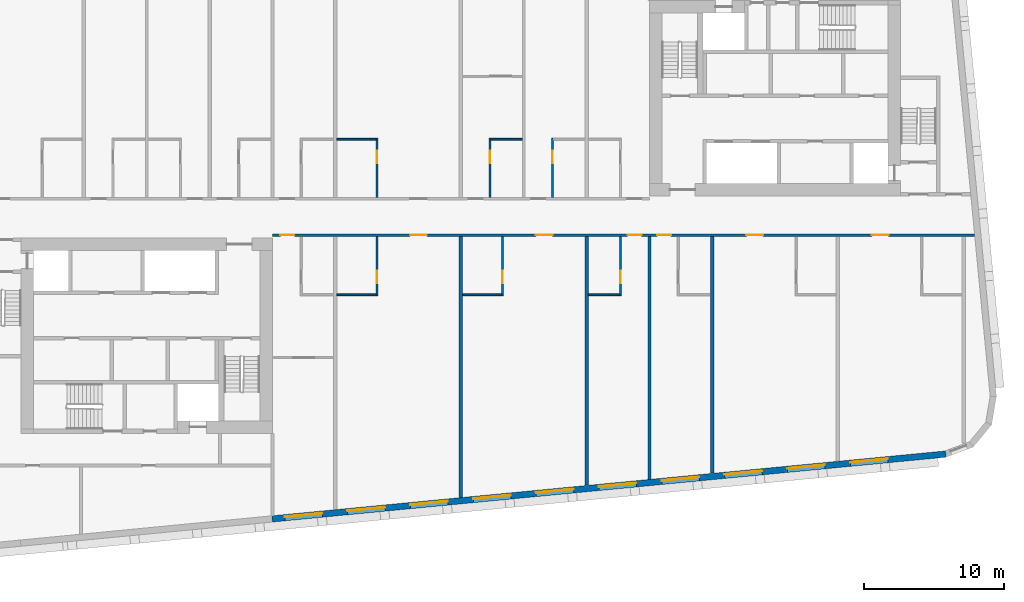
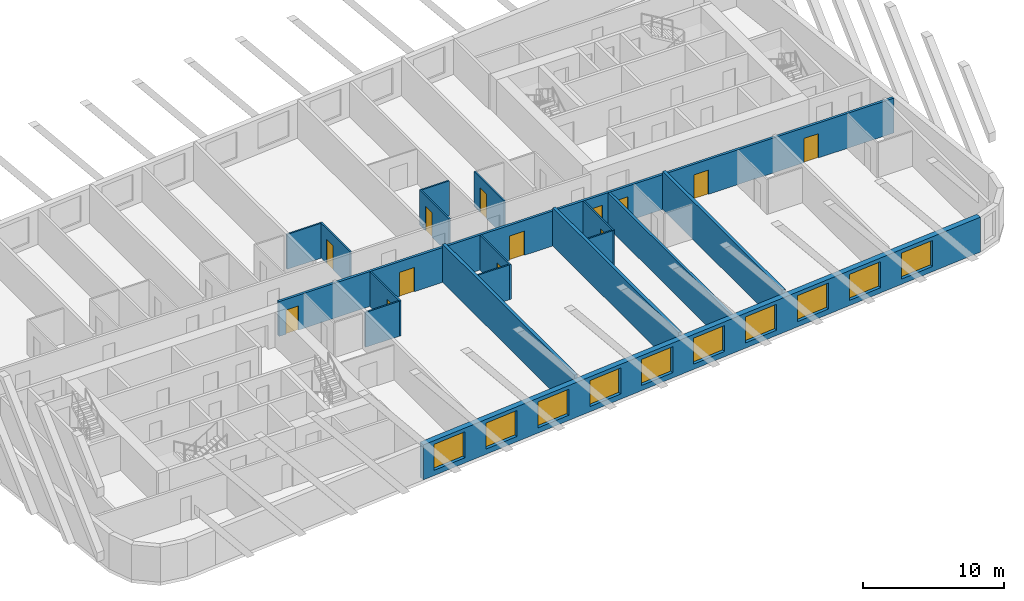
# One storey, part 4 of 12: 17 walls, 13 doors, 10 windows, 23 openings.
"""IFC4 building model written with IfcOpenShell, lengths in metres."""

from ifc_helpers import new_model, si_unit, direction, frame, frame_2d, origin, place, context, subcontext, project, spatial, rectangle, extrude, material, layer, layer_set, type_object, element, fill, save


model = new_model("IFC4")

# Units and contexts
model_context = context("Model", 3, precision=1e-05, world=origin(), true_north=direction((0.0, 1.0)))
body_context = subcontext(model_context, "Body", "Model", "MODEL_VIEW")
ifc_project = project(units=[si_unit("LENGTHUNIT", "METRE"), si_unit("AREAUNIT", "SQUARE_METRE"), si_unit("VOLUMEUNIT", "CUBIC_METRE"), si_unit("PLANEANGLEUNIT", "RADIAN"), si_unit("MASSUNIT", "GRAM", prefix="KILO")], contexts=[model_context])

# Site, building, storey
site_placement = place(None, origin())
site = spatial("IfcSite", under=ifc_project, at=site_placement, CompositionType="ELEMENT")
building_placement = place(site_placement, origin())
building = spatial("IfcBuilding", under=site, at=building_placement, Name="Kajstack Hotel Tower", CompositionType="ELEMENT")
storey_placement = place(building_placement, frame((0.0, 0.0, 288.300048828125)))
storey = spatial("IfcBuildingStorey", under=building, at=storey_placement, Name="L72", CompositionType="ELEMENT", Elevation=288.300048828125)

# Wall, openings, doors
ifc_material_1 = material(Name="Gypsum board on steel studs, mineral wool", Category="steel")
ifc_layer_1 = layer(ifc_material_1, 0.199951171875)
ifc_layer_set_1 = layer_set([ifc_layer_1], Name="Corridor wall 200")
wall_type_1 = type_object("IfcWallType", Name="Corridor wall 200", PredefinedType="PARTITIONING", material=ifc_layer_set_1)
wall_1_placement = place(storey_placement, frame((-13.5, -1.300048828125, 0.0), z_axis=(0.0, 0.0, 1.0), x_axis=(1.0, 0.0, 0.0)))
wall_1 = element("IfcWall", 1, at=wall_1_placement, inside=storey, type_object=wall_type_1, Name="G-wall-L72-028", PredefinedType="PARTITIONING", context=body_context, shape_type="SweptSolid", body=[
    extrude(rectangle(XDim=50.29296875, YDim=0.199951171875, at=frame_2d((25.146484375, 0.0))), origin(), (0.0, 0.0, 1.0), 3.02001953125),
])
opening_1_placement = place(wall_1_placement, frame((0.574951171875, 0.0, 0.0)))
opening_1 = element("IfcOpeningElement", 2, at=opening_1_placement, cuts=wall_1, Name="Opening 72022", PredefinedType="OPENING", context=body_context, shape_type="SweptSolid", body=[
    extrude(rectangle(XDim=1.0, YDim=2.10009765625, at=frame_2d((0.5, 1.050048828125))), frame((0.0, 0.10986328125, 0.0), z_axis=(0.0, -1.0, 0.0), x_axis=(1.0, 0.0, 0.0)), (0.0, 0.0, 1.0), 0.219970703125),
])
opening_2_placement = place(wall_1_placement, frame((9.863037109375, 0.0, 0.0)))
opening_2 = element("IfcOpeningElement", 3, at=opening_2_placement, cuts=wall_1, Name="Opening 72025", PredefinedType="OPENING", context=body_context, shape_type="SweptSolid", body=[
    extrude(rectangle(XDim=1.199951171875, YDim=2.10009765625, at=frame_2d((0.60009765625, 1.050048828125))), frame((0.0, 0.10986328125, 0.0), z_axis=(0.0, -1.0, 0.0), x_axis=(1.0, 0.0, 0.0)), (0.0, 0.0, 1.0), 0.219970703125),
])
opening_3_placement = place(wall_1_placement, frame((18.862060546875, 0.0, 0.0)))
opening_3 = element("IfcOpeningElement", 4, at=opening_3_placement, cuts=wall_1, Name="Opening 72027", PredefinedType="OPENING", context=body_context, shape_type="SweptSolid", body=[
    extrude(rectangle(XDim=1.199951171875, YDim=2.10009765625, at=frame_2d((0.60009765625, 1.050048828125))), frame((0.0, 0.10986328125, 0.0), z_axis=(0.0, -1.0, 0.0), x_axis=(1.0, 0.0, 0.0)), (0.0, 0.0, 1.0), 0.219970703125),
])
opening_4_placement = place(wall_1_placement, frame((25.449951171875, 0.0, 0.0)))
opening_4 = element("IfcOpeningElement", 5, at=opening_4_placement, cuts=wall_1, Name="Opening 72029", PredefinedType="OPENING", context=body_context, shape_type="SweptSolid", body=[
    extrude(rectangle(XDim=1.0, YDim=2.10009765625, at=frame_2d((0.5, 1.050048828125))), frame((0.0, 0.10986328125, 0.0), z_axis=(0.0, -1.0, 0.0), x_axis=(1.0, 0.0, 0.0)), (0.0, 0.0, 1.0), 0.219970703125),
])
opening_5_placement = place(wall_1_placement, frame((27.550048828125, 0.0, 0.0)))
opening_5 = element("IfcOpeningElement", 6, at=opening_5_placement, cuts=wall_1, Name="Opening 72031", PredefinedType="OPENING", context=body_context, shape_type="SweptSolid", body=[
    extrude(rectangle(XDim=1.0, YDim=2.10009765625, at=frame_2d((0.5, 1.050048828125))), frame((0.0, 0.10986328125, 0.0), z_axis=(0.0, -1.0, 0.0), x_axis=(1.0, 0.0, 0.0)), (0.0, 0.0, 1.0), 0.219970703125),
])
opening_6_placement = place(wall_1_placement, frame((33.93798828125, 0.0, 0.0)))
opening_6 = element("IfcOpeningElement", 7, at=opening_6_placement, cuts=wall_1, Name="Opening 72033", PredefinedType="OPENING", context=body_context, shape_type="SweptSolid", body=[
    extrude(rectangle(XDim=1.199951171875, YDim=2.10009765625, at=frame_2d((0.60009765625, 1.050048828125))), frame((0.0, 0.10986328125, 0.0), z_axis=(0.0, -1.0, 0.0), x_axis=(1.0, 0.0, 0.0)), (0.0, 0.0, 1.0), 0.219970703125),
])
opening_7_placement = place(wall_1_placement, frame((42.93798828125, 0.0, 0.0)))
opening_7 = element("IfcOpeningElement", 8, at=opening_7_placement, cuts=wall_1, Name="Opening 72035", PredefinedType="OPENING", context=body_context, shape_type="SweptSolid", body=[
    extrude(rectangle(XDim=1.199951171875, YDim=2.10009765625, at=frame_2d((0.60009765625, 1.050048828125))), frame((0.0, 0.10986328125, 0.0), z_axis=(0.0, -1.0, 0.0), x_axis=(1.0, 0.0, 0.0)), (0.0, 0.0, 1.0), 0.219970703125),
])
ifc_material_2 = material(Name="Oak veneer on timber core, fire-rated leaf", Category="wood")
door_type_1 = type_object("IfcDoorType", Name="Flat entrance door 1000", OperationType="SINGLE_SWING_LEFT", PredefinedType="DOOR", material=ifc_material_2)
door_1_placement = place(opening_1_placement, origin())
door_1 = element("IfcDoor", 9, at=door_1_placement, inside=storey, type_object=door_type_1, Name="G-door-L72-22", OperationType="SINGLE_SWING_LEFT", OverallHeight=2.10009765625, OverallWidth=1.0, PredefinedType="DOOR", context=body_context, shape_type="SweptSolid", body=[
    extrude(rectangle(XDim=1.0, YDim=2.10009765625, at=frame_2d((0.5, 1.050048828125))), frame((0.0, 0.02490234375, 0.0), z_axis=(0.0, -1.0, 0.0), x_axis=(1.0, 0.0, 0.0)), (0.0, 0.0, 1.0), 0.050048828125),
])
fill(opening_1, door_1)
door_2_placement = place(opening_4_placement, origin())
door_2 = element("IfcDoor", 10, at=door_2_placement, inside=storey, type_object=door_type_1, Name="G-door-L72-29", OperationType="SINGLE_SWING_LEFT", OverallHeight=2.10009765625, OverallWidth=1.0, PredefinedType="DOOR", context=body_context, shape_type="SweptSolid", body=[
    extrude(rectangle(XDim=1.0, YDim=2.10009765625, at=frame_2d((0.5, 1.050048828125))), frame((0.0, 0.02490234375, 0.0), z_axis=(0.0, -1.0, 0.0), x_axis=(1.0, 0.0, 0.0)), (0.0, 0.0, 1.0), 0.050048828125),
])
fill(opening_4, door_2)
door_3_placement = place(opening_5_placement, origin())
door_3 = element("IfcDoor", 11, at=door_3_placement, inside=storey, type_object=door_type_1, Name="G-door-L72-31", OperationType="SINGLE_SWING_RIGHT", OverallHeight=2.10009765625, OverallWidth=1.0, PredefinedType="DOOR", context=body_context, shape_type="SweptSolid", body=[
    extrude(rectangle(XDim=1.0, YDim=2.10009765625, at=frame_2d((0.5, 1.050048828125))), frame((0.0, 0.02490234375, 0.0), z_axis=(0.0, -1.0, 0.0), x_axis=(1.0, 0.0, 0.0)), (0.0, 0.0, 1.0), 0.050048828125),
])
fill(opening_5, door_3)
door_type_2 = type_object("IfcDoorType", Name="Flat entrance door 1200", OperationType="SINGLE_SWING_LEFT", PredefinedType="DOOR", material=ifc_material_2)
door_4_placement = place(opening_2_placement, origin())
door_4 = element("IfcDoor", 12, at=door_4_placement, inside=storey, type_object=door_type_2, Name="G-door-L72-25", OperationType="SINGLE_SWING_LEFT", OverallHeight=2.10009765625, OverallWidth=1.199951171875, PredefinedType="DOOR", context=body_context, shape_type="SweptSolid", body=[
    extrude(rectangle(XDim=1.199951171875, YDim=2.10009765625, at=frame_2d((0.60009765625, 1.050048828125))), frame((0.0, 0.02490234375, 0.0), z_axis=(0.0, -1.0, 0.0), x_axis=(1.0, 0.0, 0.0)), (0.0, 0.0, 1.0), 0.050048828125),
])
fill(opening_2, door_4)
door_5_placement = place(opening_3_placement, origin())
door_5 = element("IfcDoor", 13, at=door_5_placement, inside=storey, type_object=door_type_2, Name="G-door-L72-27", OperationType="SINGLE_SWING_RIGHT", OverallHeight=2.10009765625, OverallWidth=1.199951171875, PredefinedType="DOOR", context=body_context, shape_type="SweptSolid", body=[
    extrude(rectangle(XDim=1.199951171875, YDim=2.10009765625, at=frame_2d((0.60009765625, 1.050048828125))), frame((0.0, 0.02490234375, 0.0), z_axis=(0.0, -1.0, 0.0), x_axis=(1.0, 0.0, 0.0)), (0.0, 0.0, 1.0), 0.050048828125),
])
fill(opening_3, door_5)
door_6_placement = place(opening_6_placement, origin())
door_6 = element("IfcDoor", 14, at=door_6_placement, inside=storey, type_object=door_type_2, Name="G-door-L72-33", OperationType="SINGLE_SWING_RIGHT", OverallHeight=2.10009765625, OverallWidth=1.199951171875, PredefinedType="DOOR", context=body_context, shape_type="SweptSolid", body=[
    extrude(rectangle(XDim=1.199951171875, YDim=2.10009765625, at=frame_2d((0.60009765625, 1.050048828125))), frame((0.0, 0.02490234375, 0.0), z_axis=(0.0, -1.0, 0.0), x_axis=(1.0, 0.0, 0.0)), (0.0, 0.0, 1.0), 0.050048828125),
])
fill(opening_6, door_6)
door_7_placement = place(opening_7_placement, origin())
door_7 = element("IfcDoor", 15, at=door_7_placement, inside=storey, type_object=door_type_2, Name="G-door-L72-35", OperationType="SINGLE_SWING_LEFT", OverallHeight=2.10009765625, OverallWidth=1.199951171875, PredefinedType="DOOR", context=body_context, shape_type="SweptSolid", body=[
    extrude(rectangle(XDim=1.199951171875, YDim=2.10009765625, at=frame_2d((0.60009765625, 1.050048828125))), frame((0.0, 0.02490234375, 0.0), z_axis=(0.0, -1.0, 0.0), x_axis=(1.0, 0.0, 0.0)), (0.0, 0.0, 1.0), 0.050048828125),
])
fill(opening_7, door_7)

# Wall
ifc_material_3 = material(Name="Twin-frame gypsum board on steel studs, mineral wool", Category="steel")
ifc_layer_2 = layer(ifc_material_3, 0.199951171875)
ifc_layer_set_2 = layer_set([ifc_layer_2], Name="Demising wall 200")
wall_type_2 = type_object("IfcWallType", Name="Demising wall 200", PredefinedType="PARTITIONING", material=ifc_layer_set_2)
wall_2_placement = place(storey_placement, frame((13.5, -18.7958984375, 0.0), z_axis=(0.0, 0.0, 1.0), x_axis=(0.0, 1.0, 0.0)))
element("IfcWall", 16, at=wall_2_placement, inside=storey, type_object=wall_type_2, Name="G-wall-L72-036", PredefinedType="PARTITIONING", context=body_context, shape_type="SweptSolid", body=[
    extrude(rectangle(XDim=17.39599609375, YDim=0.199951171875, at=frame_2d((8.697998046875, 0.0))), origin(), (0.0, 0.0, 1.0), 3.02001953125),
])

# Wall, openings, windows
ifc_material_4 = material(Name="Terracotta-faced brick masonry", Category="masonry")
ifc_layer_3 = layer(ifc_material_4, 0.449951171875)
ifc_layer_set_3 = layer_set([ifc_layer_3], Name="EW-TERRA")
wall_type_3 = type_object("IfcWallType", Name="EW-TERRA", PredefinedType="SOLIDWALL", material=ifc_layer_set_3)
wall_3_placement = place(storey_placement, frame((-13.521484375, -21.6240234375, 0.0), z_axis=(0.0, 0.0, 1.0), x_axis=(0.995396186218, 0.095845878695, 0.0)))
wall_3 = element("IfcWall", 17, at=wall_3_placement, inside=storey, type_object=wall_type_3, Name="E-wall-L72-04-02", PredefinedType="SOLIDWALL", context=body_context, shape_type="SweptSolid", body=[
    extrude(rectangle(XDim=48.481201171875, YDim=0.449951171875, at=frame_2d((24.24072265625, 0.0))), origin(), (0.0, 0.0, 1.0), 3.02001953125),
])
opening_8_placement = place(wall_3_placement, frame((0.910400390625, 0.0, 0.449951171875)))
opening_8 = element("IfcOpeningElement", 18, at=opening_8_placement, cuts=wall_3, Name="Opening W1", PredefinedType="OPENING", context=body_context, shape_type="SweptSolid", body=[
    extrude(rectangle(XDim=2.699951171875, YDim=2.25, at=frame_2d((1.35009765625, 1.125))), frame((0.0, 0.23486328125, 0.0), z_axis=(0.0, -1.0, 0.0), x_axis=(1.0, 0.0, 0.0)), (0.0, 0.0, 1.0), 0.469970703125),
])
opening_9_placement = place(wall_3_placement, frame((5.43115234375, 0.0, 0.449951171875)))
opening_9 = element("IfcOpeningElement", 19, at=opening_9_placement, cuts=wall_3, Name="Opening W1", PredefinedType="OPENING", context=body_context, shape_type="SweptSolid", body=[
    extrude(rectangle(XDim=2.699951171875, YDim=2.25, at=frame_2d((1.35009765625, 1.125))), frame((0.0, 0.23486328125, 0.0), z_axis=(0.0, -1.0, 0.0), x_axis=(1.0, 0.0, 0.0)), (0.0, 0.0, 1.0), 0.469970703125),
])
opening_10_placement = place(wall_3_placement, frame((9.951904296875, 0.0, 0.449951171875)))
opening_10 = element("IfcOpeningElement", 20, at=opening_10_placement, cuts=wall_3, Name="Opening W1", PredefinedType="OPENING", context=body_context, shape_type="SweptSolid", body=[
    extrude(rectangle(XDim=2.699951171875, YDim=2.25, at=frame_2d((1.35009765625, 1.125))), frame((0.0, 0.23486328125, 0.0), z_axis=(0.0, -1.0, 0.0), x_axis=(1.0, 0.0, 0.0)), (0.0, 0.0, 1.0), 0.469970703125),
])
opening_11_placement = place(wall_3_placement, frame((14.472900390625, 0.0, 0.449951171875)))
opening_11 = element("IfcOpeningElement", 21, at=opening_11_placement, cuts=wall_3, Name="Opening W1", PredefinedType="OPENING", context=body_context, shape_type="SweptSolid", body=[
    extrude(rectangle(XDim=2.699951171875, YDim=2.25, at=frame_2d((1.35009765625, 1.125))), frame((0.0, 0.23486328125, 0.0), z_axis=(0.0, -1.0, 0.0), x_axis=(1.0, 0.0, 0.0)), (0.0, 0.0, 1.0), 0.469970703125),
])
opening_12_placement = place(wall_3_placement, frame((18.99365234375, 0.0, 0.449951171875)))
opening_12 = element("IfcOpeningElement", 22, at=opening_12_placement, cuts=wall_3, Name="Opening W1", PredefinedType="OPENING", context=body_context, shape_type="SweptSolid", body=[
    extrude(rectangle(XDim=2.699951171875, YDim=2.25, at=frame_2d((1.35009765625, 1.125))), frame((0.0, 0.23486328125, 0.0), z_axis=(0.0, -1.0, 0.0), x_axis=(1.0, 0.0, 0.0)), (0.0, 0.0, 1.0), 0.469970703125),
])
opening_13_placement = place(wall_3_placement, frame((23.514404296875, 0.0, 0.449951171875)))
opening_13 = element("IfcOpeningElement", 23, at=opening_13_placement, cuts=wall_3, Name="Opening W1", PredefinedType="OPENING", context=body_context, shape_type="SweptSolid", body=[
    extrude(rectangle(XDim=2.699951171875, YDim=2.25, at=frame_2d((1.35009765625, 1.125))), frame((0.0, 0.23486328125, 0.0), z_axis=(0.0, -1.0, 0.0), x_axis=(1.0, 0.0, 0.0)), (0.0, 0.0, 1.0), 0.469970703125),
])
opening_14_placement = place(wall_3_placement, frame((28.03515625, 0.0, 0.449951171875)))
opening_14 = element("IfcOpeningElement", 24, at=opening_14_placement, cuts=wall_3, Name="Opening W1", PredefinedType="OPENING", context=body_context, shape_type="SweptSolid", body=[
    extrude(rectangle(XDim=2.699951171875, YDim=2.25, at=frame_2d((1.35009765625, 1.125))), frame((0.0, 0.23486328125, 0.0), z_axis=(0.0, -1.0, 0.0), x_axis=(1.0, 0.0, 0.0)), (0.0, 0.0, 1.0), 0.469970703125),
])
opening_15_placement = place(wall_3_placement, frame((32.55615234375, 0.0, 0.449951171875)))
opening_15 = element("IfcOpeningElement", 25, at=opening_15_placement, cuts=wall_3, Name="Opening W1", PredefinedType="OPENING", context=body_context, shape_type="SweptSolid", body=[
    extrude(rectangle(XDim=2.699951171875, YDim=2.25, at=frame_2d((1.35009765625, 1.125))), frame((0.0, 0.23486328125, 0.0), z_axis=(0.0, -1.0, 0.0), x_axis=(1.0, 0.0, 0.0)), (0.0, 0.0, 1.0), 0.469970703125),
])
opening_16_placement = place(wall_3_placement, frame((37.076904296875, 0.0, 0.449951171875)))
opening_16 = element("IfcOpeningElement", 26, at=opening_16_placement, cuts=wall_3, Name="Opening W1", PredefinedType="OPENING", context=body_context, shape_type="SweptSolid", body=[
    extrude(rectangle(XDim=2.699951171875, YDim=2.25, at=frame_2d((1.35009765625, 1.125))), frame((0.0, 0.23486328125, 0.0), z_axis=(0.0, -1.0, 0.0), x_axis=(1.0, 0.0, 0.0)), (0.0, 0.0, 1.0), 0.469970703125),
])
opening_17_placement = place(wall_3_placement, frame((41.59765625, 0.0, 0.449951171875)))
opening_17 = element("IfcOpeningElement", 27, at=opening_17_placement, cuts=wall_3, Name="Opening W1", PredefinedType="OPENING", context=body_context, shape_type="SweptSolid", body=[
    extrude(rectangle(XDim=2.699951171875, YDim=2.25, at=frame_2d((1.35009765625, 1.125))), frame((0.0, 0.23486328125, 0.0), z_axis=(0.0, -1.0, 0.0), x_axis=(1.0, 0.0, 0.0)), (0.0, 0.0, 1.0), 0.469970703125),
])
ifc_material_5 = material(Name="Timber-aluminium window, triple glazed", Category="wood")
window_type = type_object("IfcWindowType", Name="WG1", PartitioningType="SINGLE_PANEL", PredefinedType="WINDOW", material=ifc_material_5)
window_1_placement = place(opening_8_placement, origin())
window_1 = element("IfcWindow", 28, at=window_1_placement, inside=storey, type_object=window_type, Name="Window W1 L72-04", OverallHeight=2.25, OverallWidth=2.699951171875, PartitioningType="SINGLE_PANEL", PredefinedType="WINDOW", context=body_context, shape_type="SweptSolid", body=[
    extrude(rectangle(XDim=2.699951171875, YDim=2.25, at=frame_2d((1.35009765625, 1.125))), frame((0.0, 0.090087890625, 0.0), z_axis=(0.0, -1.0, 0.0), x_axis=(1.0, 0.0, 0.0)), (0.0, 0.0, 1.0), 0.06005859375),
])
fill(opening_8, window_1)
window_2_placement = place(opening_9_placement, origin())
window_2 = element("IfcWindow", 29, at=window_2_placement, inside=storey, type_object=window_type, Name="Window W1 L72-04", OverallHeight=2.25, OverallWidth=2.699951171875, PartitioningType="SINGLE_PANEL", PredefinedType="WINDOW", context=body_context, shape_type="SweptSolid", body=[
    extrude(rectangle(XDim=2.699951171875, YDim=2.25, at=frame_2d((1.35009765625, 1.125))), frame((0.0, 0.090087890625, 0.0), z_axis=(0.0, -1.0, 0.0), x_axis=(1.0, 0.0, 0.0)), (0.0, 0.0, 1.0), 0.06005859375),
])
fill(opening_9, window_2)
window_3_placement = place(opening_10_placement, origin())
window_3 = element("IfcWindow", 30, at=window_3_placement, inside=storey, type_object=window_type, Name="Window W1 L72-04", OverallHeight=2.25, OverallWidth=2.699951171875, PartitioningType="SINGLE_PANEL", PredefinedType="WINDOW", context=body_context, shape_type="SweptSolid", body=[
    extrude(rectangle(XDim=2.699951171875, YDim=2.25, at=frame_2d((1.35009765625, 1.125))), frame((0.0, 0.090087890625, 0.0), z_axis=(0.0, -1.0, 0.0), x_axis=(1.0, 0.0, 0.0)), (0.0, 0.0, 1.0), 0.06005859375),
])
fill(opening_10, window_3)
window_4_placement = place(opening_11_placement, origin())
window_4 = element("IfcWindow", 31, at=window_4_placement, inside=storey, type_object=window_type, Name="Window W1 L72-04", OverallHeight=2.25, OverallWidth=2.699951171875, PartitioningType="SINGLE_PANEL", PredefinedType="WINDOW", context=body_context, shape_type="SweptSolid", body=[
    extrude(rectangle(XDim=2.699951171875, YDim=2.25, at=frame_2d((1.35009765625, 1.125))), frame((0.0, 0.090087890625, 0.0), z_axis=(0.0, -1.0, 0.0), x_axis=(1.0, 0.0, 0.0)), (0.0, 0.0, 1.0), 0.06005859375),
])
fill(opening_11, window_4)
window_5_placement = place(opening_12_placement, origin())
window_5 = element("IfcWindow", 32, at=window_5_placement, inside=storey, type_object=window_type, Name="Window W1 L72-04", OverallHeight=2.25, OverallWidth=2.699951171875, PartitioningType="SINGLE_PANEL", PredefinedType="WINDOW", context=body_context, shape_type="SweptSolid", body=[
    extrude(rectangle(XDim=2.699951171875, YDim=2.25, at=frame_2d((1.35009765625, 1.125))), frame((0.0, 0.090087890625, 0.0), z_axis=(0.0, -1.0, 0.0), x_axis=(1.0, 0.0, 0.0)), (0.0, 0.0, 1.0), 0.06005859375),
])
fill(opening_12, window_5)
window_6_placement = place(opening_13_placement, origin())
window_6 = element("IfcWindow", 33, at=window_6_placement, inside=storey, type_object=window_type, Name="Window W1 L72-04", OverallHeight=2.25, OverallWidth=2.699951171875, PartitioningType="SINGLE_PANEL", PredefinedType="WINDOW", context=body_context, shape_type="SweptSolid", body=[
    extrude(rectangle(XDim=2.699951171875, YDim=2.25, at=frame_2d((1.35009765625, 1.125))), frame((0.0, 0.090087890625, 0.0), z_axis=(0.0, -1.0, 0.0), x_axis=(1.0, 0.0, 0.0)), (0.0, 0.0, 1.0), 0.06005859375),
])
fill(opening_13, window_6)
window_7_placement = place(opening_14_placement, origin())
window_7 = element("IfcWindow", 34, at=window_7_placement, inside=storey, type_object=window_type, Name="Window W1 L72-04", OverallHeight=2.25, OverallWidth=2.699951171875, PartitioningType="SINGLE_PANEL", PredefinedType="WINDOW", context=body_context, shape_type="SweptSolid", body=[
    extrude(rectangle(XDim=2.699951171875, YDim=2.25, at=frame_2d((1.35009765625, 1.125))), frame((0.0, 0.090087890625, 0.0), z_axis=(0.0, -1.0, 0.0), x_axis=(1.0, 0.0, 0.0)), (0.0, 0.0, 1.0), 0.06005859375),
])
fill(opening_14, window_7)
window_8_placement = place(opening_15_placement, origin())
window_8 = element("IfcWindow", 35, at=window_8_placement, inside=storey, type_object=window_type, Name="Window W1 L72-04", OverallHeight=2.25, OverallWidth=2.699951171875, PartitioningType="SINGLE_PANEL", PredefinedType="WINDOW", context=body_context, shape_type="SweptSolid", body=[
    extrude(rectangle(XDim=2.699951171875, YDim=2.25, at=frame_2d((1.35009765625, 1.125))), frame((0.0, 0.090087890625, 0.0), z_axis=(0.0, -1.0, 0.0), x_axis=(1.0, 0.0, 0.0)), (0.0, 0.0, 1.0), 0.06005859375),
])
fill(opening_15, window_8)
window_9_placement = place(opening_16_placement, origin())
window_9 = element("IfcWindow", 36, at=window_9_placement, inside=storey, type_object=window_type, Name="Window W1 L72-04", OverallHeight=2.25, OverallWidth=2.699951171875, PartitioningType="SINGLE_PANEL", PredefinedType="WINDOW", context=body_context, shape_type="SweptSolid", body=[
    extrude(rectangle(XDim=2.699951171875, YDim=2.25, at=frame_2d((1.35009765625, 1.125))), frame((0.0, 0.090087890625, 0.0), z_axis=(0.0, -1.0, 0.0), x_axis=(1.0, 0.0, 0.0)), (0.0, 0.0, 1.0), 0.06005859375),
])
fill(opening_16, window_9)
window_10_placement = place(opening_17_placement, origin())
window_10 = element("IfcWindow", 37, at=window_10_placement, inside=storey, type_object=window_type, Name="Window W1 L72-04", OverallHeight=2.25, OverallWidth=2.699951171875, PartitioningType="SINGLE_PANEL", PredefinedType="WINDOW", context=body_context, shape_type="SweptSolid", body=[
    extrude(rectangle(XDim=2.699951171875, YDim=2.25, at=frame_2d((1.35009765625, 1.125))), frame((0.0, 0.090087890625, 0.0), z_axis=(0.0, -1.0, 0.0), x_axis=(1.0, 0.0, 0.0)), (0.0, 0.0, 1.0), 0.06005859375),
])
fill(opening_17, window_10)

# Wall, opening, door
ifc_material_6 = material(Name="Gypsum board and tiled backer on steel studs", Category="steel")
ifc_layer_4 = layer(ifc_material_6, 0.125)
ifc_layer_set_4 = layer_set([ifc_layer_4], Name="En-suite wall 125")
wall_type_4 = type_object("IfcWallType", Name="En-suite wall 125", PredefinedType="PARTITIONING", material=ifc_layer_set_4)
wall_4_placement = place(storey_placement, frame((-6.012939453125, 1.39990234375, 0.0), z_axis=(0.0, 0.0, 1.0), x_axis=(0.0, 1.0, 0.0)))
wall_4 = element("IfcWall", 38, at=wall_4_placement, inside=storey, type_object=wall_type_4, Name="G-wall-L72-018", PredefinedType="PARTITIONING", context=body_context, shape_type="SweptSolid", body=[
    extrude(rectangle(XDim=4.22509765625, YDim=0.125, at=frame_2d((2.112548828125, 0.0))), origin(), (0.0, 0.0, 1.0), 3.02001953125),
])
opening_18_placement = place(wall_4_placement, frame((2.449951171875, 0.0, 0.0)))
opening_18 = element("IfcOpeningElement", 39, at=opening_18_placement, cuts=wall_4, Name="Opening 72014", PredefinedType="OPENING", context=body_context, shape_type="SweptSolid", body=[
    extrude(rectangle(XDim=0.89990234375, YDim=2.10009765625, at=frame_2d((0.449951171875, 1.050048828125))), frame((0.0, 0.072509765625, 0.0), z_axis=(0.0, -1.0, 0.0), x_axis=(1.0, 0.0, 0.0)), (0.0, 0.0, 1.0), 0.14501953125),
])
ifc_material_7 = material(Name="Painted timber door leaf", Category="wood")
door_type_3 = type_object("IfcDoorType", Name="Room door 900", OperationType="SINGLE_SWING_LEFT", PredefinedType="DOOR", material=ifc_material_7)
door_8_placement = place(opening_18_placement, origin())
door_8 = element("IfcDoor", 40, at=door_8_placement, inside=storey, type_object=door_type_3, Name="G-door-L72-14", OperationType="SINGLE_SWING_LEFT", OverallHeight=2.10009765625, OverallWidth=0.89990234375, PredefinedType="DOOR", context=body_context, shape_type="SweptSolid", body=[
    extrude(rectangle(XDim=0.89990234375, YDim=2.10009765625, at=frame_2d((0.449951171875, 1.050048828125))), frame((0.0, 0.02490234375, 0.0), z_axis=(0.0, -1.0, 0.0), x_axis=(1.0, 0.0, 0.0)), (0.0, 0.0, 1.0), 0.050048828125),
])
fill(opening_18, door_8)

# Wall
wall_5_placement = place(storey_placement, frame((-8.875, 5.56201171875, 0.0), z_axis=(0.0, 0.0, 1.0), x_axis=(1.0, 0.0, 0.0)))
element("IfcWall", 41, at=wall_5_placement, inside=storey, type_object=wall_type_4, Name="G-wall-L72-019", PredefinedType="PARTITIONING", context=body_context, shape_type="SweptSolid", body=[
    extrude(rectangle(XDim=2.800048828125, YDim=0.125, at=frame_2d((1.39990234375, 0.0))), origin(), (0.0, 0.0, 1.0), 3.02001953125),
])

# Wall, opening, door
wall_6_placement = place(storey_placement, frame((2.0869140625, 1.39990234375, 0.0), z_axis=(0.0, 0.0, 1.0), x_axis=(0.0, 1.0, 0.0)))
wall_6 = element("IfcWall", 42, at=wall_6_placement, inside=storey, type_object=wall_type_4, Name="G-wall-L72-021", PredefinedType="PARTITIONING", context=body_context, shape_type="SweptSolid", body=[
    extrude(rectangle(XDim=4.22509765625, YDim=0.125, at=frame_2d((2.112548828125, 0.0))), origin(), (0.0, 0.0, 1.0), 3.02001953125),
])
opening_19_placement = place(wall_6_placement, frame((2.449951171875, 0.0, 0.0)))
opening_19 = element("IfcOpeningElement", 43, at=opening_19_placement, cuts=wall_6, Name="Opening 72016", PredefinedType="OPENING", context=body_context, shape_type="SweptSolid", body=[
    extrude(rectangle(XDim=0.89990234375, YDim=2.10009765625, at=frame_2d((0.449951171875, 1.050048828125))), frame((0.0, 0.072509765625, 0.0), z_axis=(0.0, -1.0, 0.0), x_axis=(1.0, 0.0, 0.0)), (0.0, 0.0, 1.0), 0.14501953125),
])
door_9_placement = place(opening_19_placement, origin())
door_9 = element("IfcDoor", 44, at=door_9_placement, inside=storey, type_object=door_type_3, Name="G-door-L72-16", OperationType="SINGLE_SWING_RIGHT", OverallHeight=2.10009765625, OverallWidth=0.89990234375, PredefinedType="DOOR", context=body_context, shape_type="SweptSolid", body=[
    extrude(rectangle(XDim=0.89990234375, YDim=2.10009765625, at=frame_2d((0.449951171875, 1.050048828125))), frame((0.0, 0.02490234375, 0.0), z_axis=(0.0, -1.0, 0.0), x_axis=(1.0, 0.0, 0.0)), (0.0, 0.0, 1.0), 0.050048828125),
])
fill(opening_19, door_9)

# Wall
wall_7_placement = place(storey_placement, frame((2.14990234375, 5.56201171875, 0.0), z_axis=(0.0, 0.0, 1.0), x_axis=(1.0, 0.0, 0.0)))
element("IfcWall", 45, at=wall_7_placement, inside=storey, type_object=wall_type_4, Name="G-wall-L72-022", PredefinedType="PARTITIONING", context=body_context, shape_type="SweptSolid", body=[
    extrude(rectangle(XDim=2.25, YDim=0.125, at=frame_2d((1.125, 0.0))), origin(), (0.0, 0.0, 1.0), 3.02001953125),
])

# Wall, opening, door
wall_8_placement = place(storey_placement, frame((6.56201171875, 1.39990234375, 0.0), z_axis=(0.0, 0.0, 1.0), x_axis=(0.0, 1.0, 0.0)))
wall_8 = element("IfcWall", 46, at=wall_8_placement, inside=storey, type_object=wall_type_4, Name="G-wall-L72-024", PredefinedType="PARTITIONING", context=body_context, shape_type="SweptSolid", body=[
    extrude(rectangle(XDim=4.22509765625, YDim=0.125, at=frame_2d((2.112548828125, 0.0))), origin(), (0.0, 0.0, 1.0), 3.02001953125),
])
opening_20_placement = place(wall_8_placement, frame((2.449951171875, 0.0, 0.0)))
opening_20 = element("IfcOpeningElement", 47, at=opening_20_placement, cuts=wall_8, Name="Opening 72019", PredefinedType="OPENING", context=body_context, shape_type="SweptSolid", body=[
    extrude(rectangle(XDim=0.89990234375, YDim=2.10009765625, at=frame_2d((0.449951171875, 1.050048828125))), frame((0.0, 0.072509765625, 0.0), z_axis=(0.0, -1.0, 0.0), x_axis=(1.0, 0.0, 0.0)), (0.0, 0.0, 1.0), 0.14501953125),
])
door_10_placement = place(opening_20_placement, origin())
door_10 = element("IfcDoor", 48, at=door_10_placement, inside=storey, type_object=door_type_3, Name="G-door-L72-19", OperationType="SINGLE_SWING_RIGHT", OverallHeight=2.10009765625, OverallWidth=0.89990234375, PredefinedType="DOOR", context=body_context, shape_type="SweptSolid", body=[
    extrude(rectangle(XDim=0.89990234375, YDim=2.10009765625, at=frame_2d((0.449951171875, 1.050048828125))), frame((0.0, 0.02490234375, 0.0), z_axis=(0.0, -1.0, 0.0), x_axis=(1.0, 0.0, 0.0)), (0.0, 0.0, 1.0), 0.050048828125),
])
fill(opening_20, door_10)

wall_9_placement = place(storey_placement, frame((-6.012939453125, -5.625, 0.0), z_axis=(0.0, 0.0, 1.0), x_axis=(0.0, 1.0, 0.0)))
wall_9 = element("IfcWall", 49, at=wall_9_placement, inside=storey, type_object=wall_type_4, Name="G-wall-L72-032", PredefinedType="PARTITIONING", context=body_context, shape_type="SweptSolid", body=[
    extrude(rectangle(XDim=4.22509765625, YDim=0.125, at=frame_2d((2.112548828125, 0.0))), origin(), (0.0, 0.0, 1.0), 3.02001953125),
])
opening_21_placement = place(wall_9_placement, frame((0.875, 0.0, 0.0)))
opening_21 = element("IfcOpeningElement", 50, at=opening_21_placement, cuts=wall_9, Name="Opening 72026", PredefinedType="OPENING", context=body_context, shape_type="SweptSolid", body=[
    extrude(rectangle(XDim=0.89990234375, YDim=2.10009765625, at=frame_2d((0.449951171875, 1.050048828125))), frame((0.0, 0.072509765625, 0.0), z_axis=(0.0, -1.0, 0.0), x_axis=(1.0, 0.0, 0.0)), (0.0, 0.0, 1.0), 0.14501953125),
])
door_11_placement = place(opening_21_placement, origin())
door_11 = element("IfcDoor", 51, at=door_11_placement, inside=storey, type_object=door_type_3, Name="G-door-L72-26", OperationType="SINGLE_SWING_LEFT", OverallHeight=2.10009765625, OverallWidth=0.89990234375, PredefinedType="DOOR", context=body_context, shape_type="SweptSolid", body=[
    extrude(rectangle(XDim=0.89990234375, YDim=2.10009765625, at=frame_2d((0.449951171875, 1.050048828125))), frame((0.0, 0.02490234375, 0.0), z_axis=(0.0, -1.0, 0.0), x_axis=(1.0, 0.0, 0.0)), (0.0, 0.0, 1.0), 0.050048828125),
])
fill(opening_21, door_11)

# Wall
wall_10_placement = place(storey_placement, frame((-8.875, -5.56201171875, 0.0), z_axis=(0.0, 0.0, 1.0), x_axis=(1.0, 0.0, 0.0)))
element("IfcWall", 52, at=wall_10_placement, inside=storey, type_object=wall_type_4, Name="G-wall-L72-033", PredefinedType="PARTITIONING", context=body_context, shape_type="SweptSolid", body=[
    extrude(rectangle(XDim=2.800048828125, YDim=0.125, at=frame_2d((1.39990234375, 0.0))), origin(), (0.0, 0.0, 1.0), 3.02001953125),
])

# Wall, opening, door
wall_11_placement = place(storey_placement, frame((2.987060546875, -5.625, 0.0), z_axis=(0.0, 0.0, 1.0), x_axis=(0.0, 1.0, 0.0)))
wall_11 = element("IfcWall", 53, at=wall_11_placement, inside=storey, type_object=wall_type_4, Name="G-wall-L72-034", PredefinedType="PARTITIONING", context=body_context, shape_type="SweptSolid", body=[
    extrude(rectangle(XDim=4.22509765625, YDim=0.125, at=frame_2d((2.112548828125, 0.0))), origin(), (0.0, 0.0, 1.0), 3.02001953125),
])
opening_22_placement = place(wall_11_placement, frame((0.875, 0.0, 0.0)))
opening_22 = element("IfcOpeningElement", 54, at=opening_22_placement, cuts=wall_11, Name="Opening 72028", PredefinedType="OPENING", context=body_context, shape_type="SweptSolid", body=[
    extrude(rectangle(XDim=0.89990234375, YDim=2.10009765625, at=frame_2d((0.449951171875, 1.050048828125))), frame((0.0, 0.072509765625, 0.0), z_axis=(0.0, -1.0, 0.0), x_axis=(1.0, 0.0, 0.0)), (0.0, 0.0, 1.0), 0.14501953125),
])
door_12_placement = place(opening_22_placement, origin())
door_12 = element("IfcDoor", 55, at=door_12_placement, inside=storey, type_object=door_type_3, Name="G-door-L72-28", OperationType="SINGLE_SWING_LEFT", OverallHeight=2.10009765625, OverallWidth=0.89990234375, PredefinedType="DOOR", context=body_context, shape_type="SweptSolid", body=[
    extrude(rectangle(XDim=0.89990234375, YDim=2.10009765625, at=frame_2d((0.449951171875, 1.050048828125))), frame((0.0, 0.02490234375, 0.0), z_axis=(0.0, -1.0, 0.0), x_axis=(1.0, 0.0, 0.0)), (0.0, 0.0, 1.0), 0.050048828125),
])
fill(opening_22, door_12)

# Wall
wall_12_placement = place(storey_placement, frame((0.125, -5.56201171875, 0.0), z_axis=(0.0, 0.0, 1.0), x_axis=(1.0, 0.0, 0.0)))
element("IfcWall", 56, at=wall_12_placement, inside=storey, type_object=wall_type_4, Name="G-wall-L72-035", PredefinedType="PARTITIONING", context=body_context, shape_type="SweptSolid", body=[
    extrude(rectangle(XDim=2.800048828125, YDim=0.125, at=frame_2d((1.39990234375, 0.0))), origin(), (0.0, 0.0, 1.0), 3.02001953125),
])

# Wall, opening, door
wall_13_placement = place(storey_placement, frame((11.43798828125, -5.625, 0.0), z_axis=(0.0, 0.0, 1.0), x_axis=(0.0, 1.0, 0.0)))
wall_13 = element("IfcWall", 57, at=wall_13_placement, inside=storey, type_object=wall_type_4, Name="G-wall-L72-037", PredefinedType="PARTITIONING", context=body_context, shape_type="SweptSolid", body=[
    extrude(rectangle(XDim=4.22509765625, YDim=0.125, at=frame_2d((2.112548828125, 0.0))), origin(), (0.0, 0.0, 1.0), 3.02001953125),
])
opening_23_placement = place(wall_13_placement, frame((0.875, 0.0, 0.0)))
opening_23 = element("IfcOpeningElement", 58, at=opening_23_placement, cuts=wall_13, Name="Opening 72030", PredefinedType="OPENING", context=body_context, shape_type="SweptSolid", body=[
    extrude(rectangle(XDim=0.89990234375, YDim=2.10009765625, at=frame_2d((0.449951171875, 1.050048828125))), frame((0.0, 0.072509765625, 0.0), z_axis=(0.0, -1.0, 0.0), x_axis=(1.0, 0.0, 0.0)), (0.0, 0.0, 1.0), 0.14501953125),
])
door_13_placement = place(opening_23_placement, origin())
door_13 = element("IfcDoor", 59, at=door_13_placement, inside=storey, type_object=door_type_3, Name="G-door-L72-30", OperationType="SINGLE_SWING_LEFT", OverallHeight=2.10009765625, OverallWidth=0.89990234375, PredefinedType="DOOR", context=body_context, shape_type="SweptSolid", body=[
    extrude(rectangle(XDim=0.89990234375, YDim=2.10009765625, at=frame_2d((0.449951171875, 1.050048828125))), frame((0.0, 0.02490234375, 0.0), z_axis=(0.0, -1.0, 0.0), x_axis=(1.0, 0.0, 0.0)), (0.0, 0.0, 1.0), 0.050048828125),
])
fill(opening_23, door_13)

# Walls
wall_14_placement = place(storey_placement, frame((9.125, -5.56201171875, 0.0), z_axis=(0.0, 0.0, 1.0), x_axis=(1.0, 0.0, 0.0)))
element("IfcWall", 60, at=wall_14_placement, inside=storey, type_object=wall_type_4, Name="G-wall-L72-038", PredefinedType="PARTITIONING", context=body_context, shape_type="SweptSolid", body=[
    extrude(rectangle(XDim=2.25, YDim=0.125, at=frame_2d((1.125, 0.0))), origin(), (0.0, 0.0, 1.0), 3.02001953125),
])
ifc_material_8 = material(Name="Concrete C40/50", Category="concrete")
ifc_layer_5 = layer(ifc_material_8, 0.25)
ifc_layer_set_5 = layer_set([ifc_layer_5], Name="RC cross wall 250 C40/50")
wall_type_5 = type_object("IfcWallType", Name="RC cross wall 250 C40/50", PredefinedType="SHEAR", material=ifc_layer_set_5)
wall_15_placement = place(storey_placement, frame((0.0, -20.073974609375, 0.0), z_axis=(0.0, 0.0, 1.0), x_axis=(0.0, 1.0, 0.0)))
element("IfcWall", 61, at=wall_15_placement, inside=storey, type_object=wall_type_5, Name="S-wall-L72-06", PredefinedType="SHEAR", context=body_context, shape_type="SweptSolid", body=[
    extrude(rectangle(XDim=18.674072265625, YDim=0.25, at=frame_2d((9.3369140625, 0.0))), origin(), (0.0, 0.0, 1.0), 3.300048828125),
])
wall_16_placement = place(storey_placement, frame((9.0, -19.207275390625, 0.0), z_axis=(0.0, 0.0, 1.0), x_axis=(0.0, 1.0, 0.0)))
element("IfcWall", 62, at=wall_16_placement, inside=storey, type_object=wall_type_5, Name="S-wall-L72-08", PredefinedType="SHEAR", context=body_context, shape_type="SweptSolid", body=[
    extrude(rectangle(XDim=17.807373046875, YDim=0.25, at=frame_2d((8.90380859375, 0.0))), origin(), (0.0, 0.0, 1.0), 3.300048828125),
])
wall_17_placement = place(storey_placement, frame((18.0, -18.3408203125, 0.0), z_axis=(0.0, 0.0, 1.0), x_axis=(0.0, 1.0, 0.0)))
element("IfcWall", 63, at=wall_17_placement, inside=storey, type_object=wall_type_5, Name="S-wall-L72-10", PredefinedType="SHEAR", context=body_context, shape_type="SweptSolid", body=[
    extrude(rectangle(XDim=16.94091796875, YDim=0.25, at=frame_2d((8.470458984375, 0.0))), origin(), (0.0, 0.0, 1.0), 3.300048828125),
])

save(model, "model.ifc")
